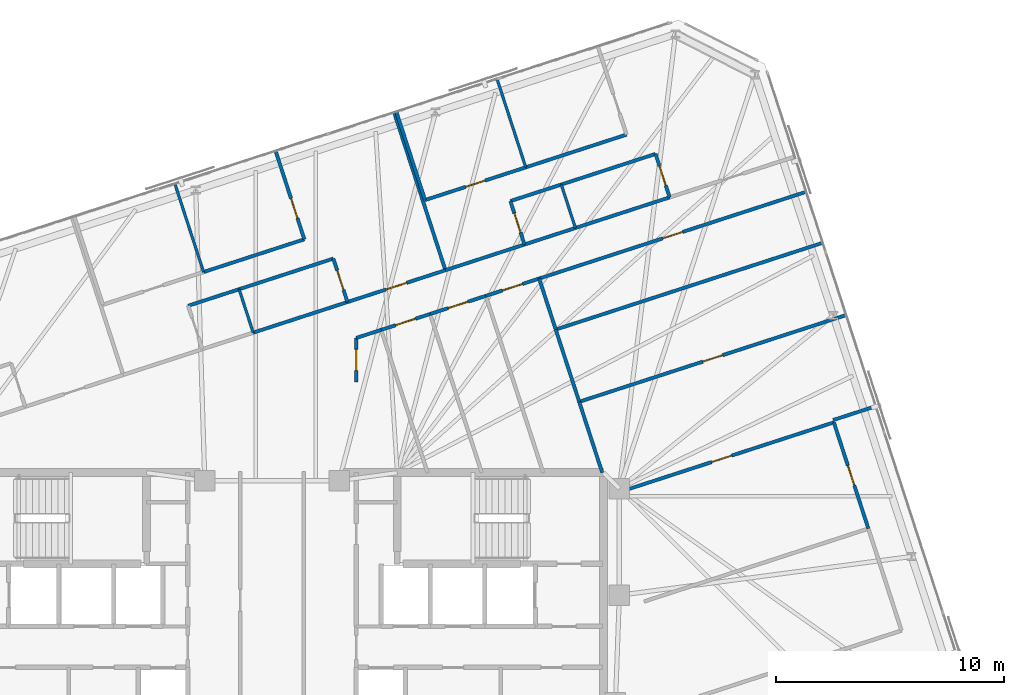
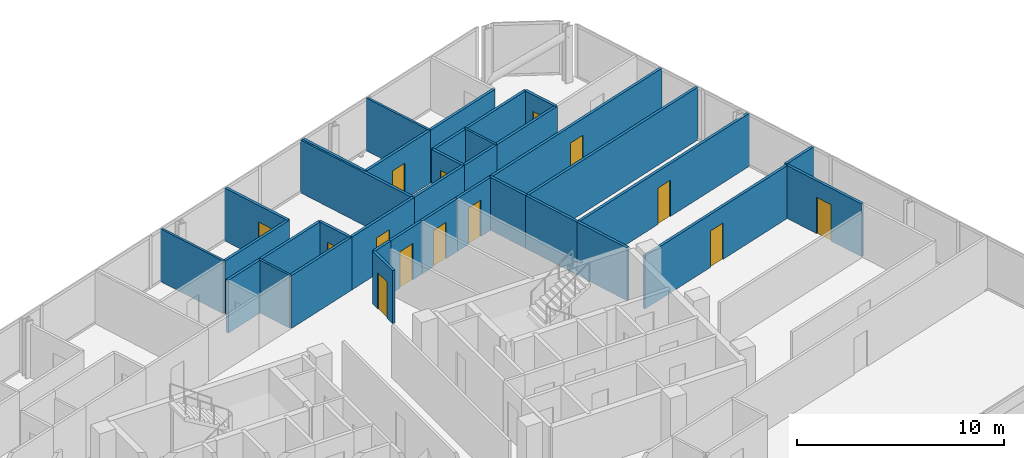
# One storey, part 17 of 20: 36 walls, 14 doors, 14 openings.
"""IFC4 building model written with IfcOpenShell, lengths in metres."""

from ifc_helpers import new_model, si_unit, direction, frame, frame_2d, origin, place, context, subcontext, project, spatial, rectangle, extrude, material, layer, layer_set, type_object, element, fill, save


model = new_model("IFC4")

# Units and contexts
model_context = context("Model", 3, precision=1e-05, world=origin(), true_north=direction((0.0, 1.0)))
body_context = subcontext(model_context, "Body", "Model", "MODEL_VIEW")
ifc_project = project(units=[si_unit("LENGTHUNIT", "METRE"), si_unit("AREAUNIT", "SQUARE_METRE"), si_unit("VOLUMEUNIT", "CUBIC_METRE"), si_unit("PLANEANGLEUNIT", "RADIAN"), si_unit("MASSUNIT", "GRAM", prefix="KILO")], contexts=[model_context])

# Site, building, storey
site_placement = place(None, origin())
site = spatial("IfcSite", under=ifc_project, at=site_placement, CompositionType="ELEMENT")
building_placement = place(site_placement, origin())
building = spatial("IfcBuilding", under=site, at=building_placement, Name="Menara Jurai Vektor", CompositionType="ELEMENT")
storey_placement = place(building_placement, frame((0.0, 0.0, 244.39990234375)))
storey = spatial("IfcBuildingStorey", under=building, at=storey_placement, Name="L65", CompositionType="ELEMENT", Elevation=244.39990234375)

# Wall, opening, door
ifc_material_1 = material(Name="Gypsum Fireboard Partition", Category="gypsum")
ifc_layer_1 = layer(ifc_material_1, 0.14990234375)
ifc_layer_set_1 = layer_set([ifc_layer_1], Name="Gypsum Fireboard Partition")
wall_type_1 = type_object("IfcWallType", Name="INT-WALL-CORR-150", PredefinedType="PARTITIONING", material=ifc_layer_set_1)
wall_1_placement = place(storey_placement, frame((3.31396484375, 13.092041015625, 0.0), z_axis=(0.0, 0.0, 1.0), x_axis=(0.951068976929, 0.308978641858, 0.0)))
wall_1 = element("IfcWall", 1, at=wall_1_placement, inside=storey, type_object=wall_type_1, Name="Interior Wall IW-150 L65", PredefinedType="PARTITIONING", context=body_context, shape_type="SweptSolid", body=[
    extrude(rectangle(XDim=4.52197265625, YDim=0.14990234375, at=frame_2d((2.260986328125, 0.0))), origin(), (0.0, 0.0, 1.0), 3.125),
])
opening_1_placement = place(wall_1_placement, frame((1.785888671875, 0.0, 0.0)))
opening_1 = element("IfcOpeningElement", 2, at=opening_1_placement, cuts=wall_1, Name="Opening D65-19", PredefinedType="OPENING", context=body_context, shape_type="SweptSolid", body=[
    extrude(rectangle(XDim=0.949951171875, YDim=2.14990234375, at=frame_2d((0.47509765625, 1.074951171875))), frame((0.0, 0.0849609375, 0.0), z_axis=(0.0, -1.0, 0.0), x_axis=(1.0, 0.0, 0.0)), (0.0, 0.0, 1.0), 0.169921875),
])
ifc_material_2 = material(Name="Solid Core Timber Fire Door", Category="wood")
door_type_1 = type_object("IfcDoorType", Name="DR-ENTRY-950", OperationType="NOTDEFINED", PredefinedType="DOOR", material=ifc_material_2)
door_1_placement = place(opening_1_placement, origin())
door_1 = element("IfcDoor", 3, at=door_1_placement, inside=storey, type_object=door_type_1, Name="Interior Door D65-19", OperationType="SINGLE_SWING_RIGHT", OverallHeight=2.14990234375, OverallWidth=0.949951171875, PredefinedType="DOOR", context=body_context, shape_type="SweptSolid", body=[
    extrude(rectangle(XDim=0.949951171875, YDim=2.14990234375, at=frame_2d((0.47509765625, 1.074951171875))), frame((0.0, 0.02490234375, 0.0), z_axis=(0.0, -1.0, 0.0), x_axis=(1.0, 0.0, 0.0)), (0.0, 0.0, 1.0), 0.050048828125),
])
fill(opening_1, door_1)

# Walls
wall_2_placement = place(storey_placement, frame((-0.822998046875, 11.747802734375, 0.0), z_axis=(0.0, 0.0, 1.0), x_axis=(0.951052627573, 0.309028962374, 0.0)))
element("IfcWall", 4, at=wall_2_placement, inside=storey, type_object=wall_type_1, Name="Interior Wall IW-150 L65", PredefinedType="PARTITIONING", context=body_context, shape_type="SweptSolid", body=[
    extrude(rectangle(XDim=4.349853515625, YDim=0.14990234375, at=frame_2d((2.1748046875, 0.0))), origin(), (0.0, 0.0, 1.0), 3.125),
])
wall_3_placement = place(storey_placement, frame((7.61474609375, 14.4892578125, 0.0), z_axis=(0.0, 0.0, 1.0), x_axis=(0.951050780541, 0.309034646652, 0.0)))
element("IfcWall", 5, at=wall_3_placement, inside=storey, type_object=wall_type_1, Name="Interior Wall IW-150 L65", PredefinedType="PARTITIONING", context=body_context, shape_type="SweptSolid", body=[
    extrude(rectangle(XDim=3.64990234375, YDim=0.14990234375, at=frame_2d((1.824951171875, 0.0))), origin(), (0.0, 0.0, 1.0), 3.125),
])
wall_4_placement = place(storey_placement, frame((11.0859375, 15.6171875, 0.0), z_axis=(0.0, 0.0, 1.0), x_axis=(0.951045519245, 0.309050837767, 0.0)))
element("IfcWall", 6, at=wall_4_placement, inside=storey, type_object=wall_type_1, Name="Interior Wall IW-150 L65", PredefinedType="PARTITIONING", context=body_context, shape_type="SweptSolid", body=[
    extrude(rectangle(XDim=2.35009765625, YDim=0.14990234375, at=frame_2d((1.175048828125, 0.0))), origin(), (0.0, 0.0, 1.0), 3.125),
])
wall_5_placement = place(storey_placement, frame((13.321044921875, 16.343505859375, 0.0), z_axis=(0.0, 0.0, 1.0), x_axis=(0.951052627573, 0.309028962374, 0.0)))
element("IfcWall", 7, at=wall_5_placement, inside=storey, type_object=wall_type_1, Name="Interior Wall IW-150 L65", PredefinedType="PARTITIONING", context=body_context, shape_type="SweptSolid", body=[
    extrude(rectangle(XDim=4.349853515625, YDim=0.14990234375, at=frame_2d((2.1748046875, 0.0))), origin(), (0.0, 0.0, 1.0), 3.125),
])

# Wall, opening, door
wall_6_placement = place(storey_placement, frame((3.7001953125, 9.58984375, 0.0), z_axis=(0.0, 0.0, 1.0), x_axis=(-0.000380662325, 0.999999927548, 0.0)))
wall_6 = element("IfcWall", 8, at=wall_6_placement, inside=storey, type_object=wall_type_1, Name="Interior Wall IW-150 L65", PredefinedType="PARTITIONING", context=body_context, shape_type="SweptSolid", body=[
    extrude(rectangle(XDim=1.924072265625, YDim=0.14990234375, at=frame_2d((0.9619140625, 0.0))), origin(), (0.0, 0.0, 1.0), 3.125),
])
opening_2_placement = place(wall_6_placement, frame((0.501953125, 0.0, 0.0)))
opening_2 = element("IfcOpeningElement", 9, at=opening_2_placement, cuts=wall_6, Name="Opening D65-49", PredefinedType="OPENING", context=body_context, shape_type="SweptSolid", body=[
    extrude(rectangle(XDim=0.919921875, YDim=2.14990234375, at=frame_2d((0.4599609375, 1.074951171875))), frame((0.0, 0.0849609375, 0.0), z_axis=(0.0, -1.0, 0.0), x_axis=(1.0, 0.0, 0.0)), (0.0, 0.0, 1.0), 0.169921875),
])
door_2_placement = place(opening_2_placement, origin())
door_2 = element("IfcDoor", 10, at=door_2_placement, inside=storey, type_object=door_type_1, Name="Interior Door D65-49", OperationType="SINGLE_SWING_RIGHT", OverallHeight=2.14990234375, OverallWidth=0.919921875, PredefinedType="DOOR", context=body_context, shape_type="SweptSolid", body=[
    extrude(rectangle(XDim=0.919921875, YDim=2.14990234375, at=frame_2d((0.4599609375, 1.074951171875))), frame((0.0, 0.02490234375, 0.0), z_axis=(0.0, -1.0, 0.0), x_axis=(1.0, 0.0, 0.0)), (0.0, 0.0, 1.0), 0.050048828125),
])
fill(opening_2, door_2)

# Wall
wall_7_placement = place(storey_placement, frame((3.699462890625, 11.513916015625, 0.0), z_axis=(0.0, 0.0, 1.0), x_axis=(0.951071437281, 0.308971068529, 0.0)))
element("IfcWall", 11, at=wall_7_placement, inside=storey, type_object=wall_type_1, Name="Interior Wall IW-150 L65", PredefinedType="PARTITIONING", context=body_context, shape_type="SweptSolid", body=[
    extrude(rectangle(XDim=1.152099609375, YDim=0.14990234375, at=frame_2d((0.576171875, 0.0))), origin(), (0.0, 0.0, 1.0), 3.125),
])

# Wall, opening, door
wall_8_placement = place(storey_placement, frame((4.795166015625, 11.869873046875, 0.0), z_axis=(0.0, 0.0, 1.0), x_axis=(0.951065832698, 0.308988319964, 0.0)))
wall_8 = element("IfcWall", 12, at=wall_8_placement, inside=storey, type_object=wall_type_1, Name="Interior Wall IW-150 L65", PredefinedType="PARTITIONING", context=body_context, shape_type="SweptSolid", body=[
    extrude(rectangle(XDim=2.259033203125, YDim=0.14990234375, at=frame_2d((1.12939453125, 0.0))), origin(), (0.0, 0.0, 1.0), 3.125),
])
opening_3_placement = place(wall_8_placement, frame((0.66943359375, 0.0, 0.0)))
opening_3 = element("IfcOpeningElement", 13, at=opening_3_placement, cuts=wall_8, Name="Opening D65-50", PredefinedType="OPENING", context=body_context, shape_type="SweptSolid", body=[
    extrude(rectangle(XDim=0.919921875, YDim=2.14990234375, at=frame_2d((0.4599609375, 1.074951171875))), frame((0.0, 0.0849609375, 0.0), z_axis=(0.0, -1.0, 0.0), x_axis=(1.0, 0.0, 0.0)), (0.0, 0.0, 1.0), 0.169921875),
])
door_3_placement = place(opening_3_placement, origin())
door_3 = element("IfcDoor", 14, at=door_3_placement, inside=storey, type_object=door_type_1, Name="Interior Door D65-50", OperationType="SINGLE_SWING_LEFT", OverallHeight=2.14990234375, OverallWidth=0.919921875, PredefinedType="DOOR", context=body_context, shape_type="SweptSolid", body=[
    extrude(rectangle(XDim=0.919921875, YDim=2.14990234375, at=frame_2d((0.4599609375, 1.074951171875))), frame((0.0, 0.02490234375, 0.0), z_axis=(0.0, -1.0, 0.0), x_axis=(1.0, 0.0, 0.0)), (0.0, 0.0, 1.0), 0.050048828125),
])
fill(opening_3, door_3)

wall_9_placement = place(storey_placement, frame((6.943603515625, 12.56787109375, 0.0), z_axis=(0.0, 0.0, 1.0), x_axis=(0.951042451835, 0.309060276981, 0.0)))
wall_9 = element("IfcWall", 15, at=wall_9_placement, inside=storey, type_object=wall_type_1, Name="Interior Wall IW-150 L65", PredefinedType="PARTITIONING", context=body_context, shape_type="SweptSolid", body=[
    extrude(rectangle(XDim=2.568115234375, YDim=0.14990234375, at=frame_2d((1.2841796875, 0.0))), origin(), (0.0, 0.0, 1.0), 3.125),
])
opening_4_placement = place(wall_9_placement, frame((0.823974609375, 0.0, 0.0)))
opening_4 = element("IfcOpeningElement", 16, at=opening_4_placement, cuts=wall_9, Name="Opening D65-51", PredefinedType="OPENING", context=body_context, shape_type="SweptSolid", body=[
    extrude(rectangle(XDim=0.919921875, YDim=2.14990234375, at=frame_2d((0.4599609375, 1.074951171875))), frame((0.0, 0.0849609375, 0.0), z_axis=(0.0, -1.0, 0.0), x_axis=(1.0, 0.0, 0.0)), (0.0, 0.0, 1.0), 0.169921875),
])
door_4_placement = place(opening_4_placement, origin())
door_4 = element("IfcDoor", 17, at=door_4_placement, inside=storey, type_object=door_type_1, Name="Interior Door D65-51", OperationType="SINGLE_SWING_RIGHT", OverallHeight=2.14990234375, OverallWidth=0.919921875, PredefinedType="DOOR", context=body_context, shape_type="SweptSolid", body=[
    extrude(rectangle(XDim=0.919921875, YDim=2.14990234375, at=frame_2d((0.4599609375, 1.074951171875))), frame((0.0, 0.02490234375, 0.0), z_axis=(0.0, -1.0, 0.0), x_axis=(1.0, 0.0, 0.0)), (0.0, 0.0, 1.0), 0.050048828125),
])
fill(opening_4, door_4)

wall_10_placement = place(storey_placement, frame((9.385986328125, 13.361572265625, 0.0), z_axis=(0.0, 0.0, 1.0), x_axis=(0.951052991774, 0.309027841526, 0.0)))
wall_10 = element("IfcWall", 18, at=wall_10_placement, inside=storey, type_object=wall_type_1, Name="Interior Wall IW-150 L65", PredefinedType="PARTITIONING", context=body_context, shape_type="SweptSolid", body=[
    extrude(rectangle(XDim=2.46484375, YDim=0.14990234375, at=frame_2d((1.232421875, 0.0))), origin(), (0.0, 0.0, 1.0), 3.125),
])
opening_5_placement = place(wall_10_placement, frame((0.7724609375, 0.0, 0.0)))
opening_5 = element("IfcOpeningElement", 19, at=opening_5_placement, cuts=wall_10, Name="Opening D65-52", PredefinedType="OPENING", context=body_context, shape_type="SweptSolid", body=[
    extrude(rectangle(XDim=0.919921875, YDim=2.14990234375, at=frame_2d((0.4599609375, 1.074951171875))), frame((0.0, 0.0849609375, 0.0), z_axis=(0.0, -1.0, 0.0), x_axis=(1.0, 0.0, 0.0)), (0.0, 0.0, 1.0), 0.169921875),
])
door_5_placement = place(opening_5_placement, origin())
door_5 = element("IfcDoor", 20, at=door_5_placement, inside=storey, type_object=door_type_1, Name="Interior Door D65-52", OperationType="SINGLE_SWING_LEFT", OverallHeight=2.14990234375, OverallWidth=0.919921875, PredefinedType="DOOR", context=body_context, shape_type="SweptSolid", body=[
    extrude(rectangle(XDim=0.919921875, YDim=2.14990234375, at=frame_2d((0.4599609375, 1.074951171875))), frame((0.0, 0.02490234375, 0.0), z_axis=(0.0, -1.0, 0.0), x_axis=(1.0, 0.0, 0.0)), (0.0, 0.0, 1.0), 0.050048828125),
])
fill(opening_5, door_5)

wall_11_placement = place(storey_placement, frame((26.18212890625, 3.144775390625, 0.0), z_axis=(0.0, 0.0, 1.0), x_axis=(-0.309019653166, 0.951055652397, 0.0)))
wall_11 = element("IfcWall", 21, at=wall_11_placement, inside=storey, type_object=wall_type_1, Name="Interior Wall IW-150 L65", PredefinedType="PARTITIONING", context=body_context, shape_type="SweptSolid", body=[
    extrude(rectangle(XDim=4.90380859375, YDim=0.14990234375, at=frame_2d((2.451904296875, 0.0))), origin(), (0.0, 0.0, 1.0), 3.125),
])
opening_6_placement = place(wall_11_placement, frame((1.991943359375, 0.0, 0.0)))
opening_6 = element("IfcOpeningElement", 22, at=opening_6_placement, cuts=wall_11, Name="Opening D65-54", PredefinedType="OPENING", context=body_context, shape_type="SweptSolid", body=[
    extrude(rectangle(XDim=0.919921875, YDim=2.14990234375, at=frame_2d((0.4599609375, 1.074951171875))), frame((0.0, 0.0849609375, 0.0), z_axis=(0.0, -1.0, 0.0), x_axis=(1.0, 0.0, 0.0)), (0.0, 0.0, 1.0), 0.169921875),
])
door_6_placement = place(opening_6_placement, origin())
door_6 = element("IfcDoor", 23, at=door_6_placement, inside=storey, type_object=door_type_1, Name="Interior Door D65-54", OperationType="SINGLE_SWING_LEFT", OverallHeight=2.14990234375, OverallWidth=0.919921875, PredefinedType="DOOR", context=body_context, shape_type="SweptSolid", body=[
    extrude(rectangle(XDim=0.919921875, YDim=2.14990234375, at=frame_2d((0.4599609375, 1.074951171875))), frame((0.0, 0.02490234375, 0.0), z_axis=(0.0, -1.0, 0.0), x_axis=(1.0, 0.0, 0.0)), (0.0, 0.0, 1.0), 0.050048828125),
])
fill(opening_6, door_6)

# Wall
wall_12_placement = place(storey_placement, frame((24.633544921875, 7.910400390625, 0.0), z_axis=(0.0, 0.0, 1.0), x_axis=(0.951054051148, 0.309024581215, 0.0)))
element("IfcWall", 24, at=wall_12_placement, inside=storey, type_object=wall_type_1, Name="Interior Wall IW-150 L65", PredefinedType="PARTITIONING", context=body_context, shape_type="SweptSolid", body=[
    extrude(rectangle(XDim=1.97509765625, YDim=0.14990234375, at=frame_2d((0.987548828125, 0.0))), origin(), (0.0, 0.0, 1.0), 3.125),
])

# Wall, opening, door
wall_13_placement = place(storey_placement, frame((11.730224609375, 14.123291015625, 0.0), z_axis=(0.0, 0.0, 1.0), x_axis=(0.951060263663, 0.309005460926, 0.0)))
wall_13 = element("IfcWall", 25, at=wall_13_placement, inside=storey, type_object=wall_type_1, Name="Interior Wall IW-150 L65", PredefinedType="PARTITIONING", context=body_context, shape_type="SweptSolid", body=[
    extrude(rectangle(XDim=12.326904296875, YDim=0.14990234375, at=frame_2d((6.16357421875, 0.0))), origin(), (0.0, 0.0, 1.0), 3.125),
])
opening_7_placement = place(wall_13_placement, frame((5.70361328125, 0.0, 0.0)))
opening_7 = element("IfcOpeningElement", 26, at=opening_7_placement, cuts=wall_13, Name="Opening D65-57", PredefinedType="OPENING", context=body_context, shape_type="SweptSolid", body=[
    extrude(rectangle(XDim=0.919921875, YDim=2.14990234375, at=frame_2d((0.4599609375, 1.074951171875))), frame((0.0, 0.0849609375, 0.0), z_axis=(0.0, -1.0, 0.0), x_axis=(1.0, 0.0, 0.0)), (0.0, 0.0, 1.0), 0.169921875),
])
door_7_placement = place(opening_7_placement, origin())
door_7 = element("IfcDoor", 27, at=door_7_placement, inside=storey, type_object=door_type_1, Name="Interior Door D65-57", OperationType="SINGLE_SWING_RIGHT", OverallHeight=2.14990234375, OverallWidth=0.919921875, PredefinedType="DOOR", context=body_context, shape_type="SweptSolid", body=[
    extrude(rectangle(XDim=0.919921875, YDim=2.14990234375, at=frame_2d((0.4599609375, 1.074951171875))), frame((0.0, 0.02490234375, 0.0), z_axis=(0.0, -1.0, 0.0), x_axis=(1.0, 0.0, 0.0)), (0.0, 0.0, 1.0), 0.050048828125),
])
fill(opening_7, door_7)

# Walls
wall_14_placement = place(storey_placement, frame((-3.677734375, 12.928466796875, 0.0), z_axis=(0.0, 0.0, 1.0), x_axis=(0.951076048914, 0.308956872689, 0.0)))
element("IfcWall", 28, at=wall_14_placement, inside=storey, type_object=wall_type_1, Name="Interior Wall IW-150 L65", PredefinedType="PARTITIONING", context=body_context, shape_type="SweptSolid", body=[
    extrude(rectangle(XDim=2.35009765625, YDim=0.14990234375, at=frame_2d((1.175048828125, 0.0))), origin(), (0.0, 0.0, 1.0), 3.125),
])
wall_15_placement = place(storey_placement, frame((-1.442626953125, 13.654541015625, 0.0), z_axis=(0.0, 0.0, 1.0), x_axis=(0.951052627573, 0.309028962374, 0.0)))
element("IfcWall", 29, at=wall_15_placement, inside=storey, type_object=wall_type_1, Name="Interior Wall IW-150 L65", PredefinedType="PARTITIONING", context=body_context, shape_type="SweptSolid", body=[
    extrude(rectangle(XDim=4.349853515625, YDim=0.14990234375, at=frame_2d((2.1748046875, 0.0))), origin(), (0.0, 0.0, 1.0), 3.125),
])

# Wall, opening, door
wall_16_placement = place(storey_placement, frame((3.31396484375, 13.092041015625, 0.0), z_axis=(0.0, 0.0, 1.0), x_axis=(-0.309058537449, 0.951043017129, 0.0)))
wall_16 = element("IfcWall", 30, at=wall_16_placement, inside=storey, type_object=wall_type_1, Name="Interior Wall IW-150 L65", PredefinedType="PARTITIONING", context=body_context, shape_type="SweptSolid", body=[
    extrude(rectangle(XDim=2.0048828125, YDim=0.14990234375, at=frame_2d((1.00244140625, 0.0))), origin(), (0.0, 0.0, 1.0), 3.125),
])
opening_8_placement = place(wall_16_placement, frame((0.552490234375, 0.0, 0.0)))
opening_8 = element("IfcOpeningElement", 31, at=opening_8_placement, cuts=wall_16, Name="Opening D65-21", PredefinedType="OPENING", context=body_context, shape_type="SweptSolid", body=[
    extrude(rectangle(XDim=0.89990234375, YDim=2.14990234375, at=frame_2d((0.449951171875, 1.074951171875))), frame((0.0, 0.0849609375, 0.0), z_axis=(0.0, -1.0, 0.0), x_axis=(1.0, 0.0, 0.0)), (0.0, 0.0, 1.0), 0.169921875),
])
ifc_material_3 = material(Name="Acoustic Timber Interior Door", Category="wood")
door_type_2 = type_object("IfcDoorType", Name="DR-ROOM-900", OperationType="NOTDEFINED", PredefinedType="DOOR", material=ifc_material_3)
door_8_placement = place(opening_8_placement, origin())
door_8 = element("IfcDoor", 32, at=door_8_placement, inside=storey, type_object=door_type_2, Name="Interior Door D65-21", OperationType="SINGLE_SWING_RIGHT", OverallHeight=2.14990234375, OverallWidth=0.89990234375, PredefinedType="DOOR", context=body_context, shape_type="SweptSolid", body=[
    extrude(rectangle(XDim=0.89990234375, YDim=2.14990234375, at=frame_2d((0.449951171875, 1.074951171875))), frame((0.0, 0.02490234375, 0.0), z_axis=(0.0, -1.0, 0.0), x_axis=(1.0, 0.0, 0.0)), (0.0, 0.0, 1.0), 0.050048828125),
])
fill(opening_8, door_8)

# Wall
wall_17_placement = place(storey_placement, frame((-3.002197265625, 14.40966796875, 0.0), z_axis=(0.0, 0.0, 1.0), x_axis=(0.951065702951, 0.308988719326, 0.0)))
element("IfcWall", 33, at=wall_17_placement, inside=storey, type_object=wall_type_1, Name="Interior Wall IW-150 L65", PredefinedType="PARTITIONING", context=body_context, shape_type="SweptSolid", body=[
    extrude(rectangle(XDim=4.64990234375, YDim=0.14990234375, at=frame_2d((2.324951171875, 0.0))), origin(), (0.0, 0.0, 1.0), 3.125),
])

# Wall, opening, door
wall_18_placement = place(storey_placement, frame((1.420166015625, 15.846435546875, 0.0), z_axis=(0.0, 0.0, 1.0), x_axis=(-0.309018403393, 0.951056058476, 0.0)))
wall_18 = element("IfcWall", 34, at=wall_18_placement, inside=storey, type_object=wall_type_1, Name="Interior Wall IW-150 L65", PredefinedType="PARTITIONING", context=body_context, shape_type="SweptSolid", body=[
    extrude(rectangle(XDim=4.0791015625, YDim=0.14990234375, at=frame_2d((2.03955078125, 0.0))), origin(), (0.0, 0.0, 1.0), 3.125),
])
opening_9_placement = place(wall_18_placement, frame((0.977783203125, 0.0, 0.0)))
opening_9 = element("IfcOpeningElement", 35, at=opening_9_placement, cuts=wall_18, Name="Opening D65-23", PredefinedType="OPENING", context=body_context, shape_type="SweptSolid", body=[
    extrude(rectangle(XDim=0.89990234375, YDim=2.14990234375, at=frame_2d((0.449951171875, 1.074951171875))), frame((0.0, 0.0849609375, 0.0), z_axis=(0.0, -1.0, 0.0), x_axis=(1.0, 0.0, 0.0)), (0.0, 0.0, 1.0), 0.169921875),
])
door_9_placement = place(opening_9_placement, origin())
door_9 = element("IfcDoor", 36, at=door_9_placement, inside=storey, type_object=door_type_2, Name="Interior Door D65-23", OperationType="SINGLE_SWING_RIGHT", OverallHeight=2.14990234375, OverallWidth=0.89990234375, PredefinedType="DOOR", context=body_context, shape_type="SweptSolid", body=[
    extrude(rectangle(XDim=0.89990234375, YDim=2.14990234375, at=frame_2d((0.449951171875, 1.074951171875))), frame((0.0, 0.02490234375, 0.0), z_axis=(0.0, -1.0, 0.0), x_axis=(1.0, 0.0, 0.0)), (0.0, 0.0, 1.0), 0.050048828125),
])
fill(opening_9, door_9)

# Wall
wall_19_placement = place(storey_placement, frame((7.61474609375, 14.4892578125, 0.0), z_axis=(0.0, 0.0, 1.0), x_axis=(-0.309029230739, 0.951052540372, 0.0)))
element("IfcWall", 37, at=wall_19_placement, inside=storey, type_object=wall_type_1, Name="Interior Wall IW-150 L65", PredefinedType="PARTITIONING", context=body_context, shape_type="SweptSolid", body=[
    extrude(rectangle(XDim=7.283935546875, YDim=0.14990234375, at=frame_2d((3.64208984375, 0.0))), origin(), (0.0, 0.0, 1.0), 3.125),
])

# Wall, opening, door
wall_20_placement = place(storey_placement, frame((11.0859375, 15.6171875, 0.0), z_axis=(0.0, 0.0, 1.0), x_axis=(-0.309022749039, 0.951054646472, 0.0)))
wall_20 = element("IfcWall", 38, at=wall_20_placement, inside=storey, type_object=wall_type_1, Name="Interior Wall IW-150 L65", PredefinedType="PARTITIONING", context=body_context, shape_type="SweptSolid", body=[
    extrude(rectangle(XDim=2.005126953125, YDim=0.14990234375, at=frame_2d((1.00244140625, 0.0))), origin(), (0.0, 0.0, 1.0), 3.125),
])
opening_10_placement = place(wall_20_placement, frame((0.5625, 0.0, 0.0)))
opening_10 = element("IfcOpeningElement", 39, at=opening_10_placement, cuts=wall_20, Name="Opening D65-25", PredefinedType="OPENING", context=body_context, shape_type="SweptSolid", body=[
    extrude(rectangle(XDim=0.8798828125, YDim=2.14990234375, at=frame_2d((0.43994140625, 1.074951171875))), frame((0.0, 0.0849609375, 0.0), z_axis=(0.0, -1.0, 0.0), x_axis=(1.0, 0.0, 0.0)), (0.0, 0.0, 1.0), 0.169921875),
])
ifc_material_4 = material(Name="Moisture-Resistant Timber Door", Category="wood")
door_type_3 = type_object("IfcDoorType", Name="DR-BATH-880", OperationType="NOTDEFINED", PredefinedType="DOOR", material=ifc_material_4)
door_10_placement = place(opening_10_placement, origin())
door_10 = element("IfcDoor", 40, at=door_10_placement, inside=storey, type_object=door_type_3, Name="Interior Door D65-25", OperationType="SINGLE_SWING_RIGHT", OverallHeight=2.14990234375, OverallWidth=0.8798828125, PredefinedType="DOOR", context=body_context, shape_type="SweptSolid", body=[
    extrude(rectangle(XDim=0.8798828125, YDim=2.14990234375, at=frame_2d((0.43994140625, 1.074951171875))), frame((0.0, 0.02490234375, 0.0), z_axis=(0.0, -1.0, 0.0), x_axis=(1.0, 0.0, 0.0)), (0.0, 0.0, 1.0), 0.050048828125),
])
fill(opening_10, door_10)

# Walls
wall_21_placement = place(storey_placement, frame((10.46630859375, 17.524169921875, 0.0), z_axis=(0.0, 0.0, 1.0), x_axis=(0.951076048914, 0.308956872689, 0.0)))
element("IfcWall", 41, at=wall_21_placement, inside=storey, type_object=wall_type_1, Name="Interior Wall IW-150 L65", PredefinedType="PARTITIONING", context=body_context, shape_type="SweptSolid", body=[
    extrude(rectangle(XDim=2.35009765625, YDim=0.14990234375, at=frame_2d((1.175048828125, 0.0))), origin(), (0.0, 0.0, 1.0), 3.125),
])
wall_22_placement = place(storey_placement, frame((12.701416015625, 18.250244140625, 0.0), z_axis=(0.0, 0.0, 1.0), x_axis=(0.951052627573, 0.309028962374, 0.0)))
element("IfcWall", 42, at=wall_22_placement, inside=storey, type_object=wall_type_1, Name="Interior Wall IW-150 L65", PredefinedType="PARTITIONING", context=body_context, shape_type="SweptSolid", body=[
    extrude(rectangle(XDim=4.349853515625, YDim=0.14990234375, at=frame_2d((2.1748046875, 0.0))), origin(), (0.0, 0.0, 1.0), 3.125),
])

# Wall, opening, door
wall_23_placement = place(storey_placement, frame((17.4580078125, 17.687744140625, 0.0), z_axis=(0.0, 0.0, 1.0), x_axis=(-0.309058537449, 0.951043017129, 0.0)))
wall_23 = element("IfcWall", 43, at=wall_23_placement, inside=storey, type_object=wall_type_1, Name="Interior Wall IW-150 L65", PredefinedType="PARTITIONING", context=body_context, shape_type="SweptSolid", body=[
    extrude(rectangle(XDim=2.0048828125, YDim=0.14990234375, at=frame_2d((1.00244140625, 0.0))), origin(), (0.0, 0.0, 1.0), 3.125),
])
opening_11_placement = place(wall_23_placement, frame((0.552490234375, 0.0, 0.0)))
opening_11 = element("IfcOpeningElement", 44, at=opening_11_placement, cuts=wall_23, Name="Opening D65-26", PredefinedType="OPENING", context=body_context, shape_type="SweptSolid", body=[
    extrude(rectangle(XDim=0.89990234375, YDim=2.14990234375, at=frame_2d((0.449951171875, 1.074951171875))), frame((0.0, 0.0849609375, 0.0), z_axis=(0.0, -1.0, 0.0), x_axis=(1.0, 0.0, 0.0)), (0.0, 0.0, 1.0), 0.169921875),
])
door_11_placement = place(opening_11_placement, origin())
door_11 = element("IfcDoor", 45, at=door_11_placement, inside=storey, type_object=door_type_2, Name="Interior Door D65-26", OperationType="SINGLE_SWING_LEFT", OverallHeight=2.14990234375, OverallWidth=0.89990234375, PredefinedType="DOOR", context=body_context, shape_type="SweptSolid", body=[
    extrude(rectangle(XDim=0.89990234375, YDim=2.14990234375, at=frame_2d((0.449951171875, 1.074951171875))), frame((0.0, 0.02490234375, 0.0), z_axis=(0.0, -1.0, 0.0), x_axis=(1.0, 0.0, 0.0)), (0.0, 0.0, 1.0), 0.050048828125),
])
fill(opening_11, door_11)

# Wall
wall_24_placement = place(storey_placement, frame((6.719482421875, 17.568359375, 0.0), z_axis=(0.0, 0.0, 1.0), x_axis=(-0.309018403393, 0.951056058476, 0.0)))
element("IfcWall", 46, at=wall_24_placement, inside=storey, type_object=wall_type_1, Name="Interior Wall IW-150 L65", PredefinedType="PARTITIONING", context=body_context, shape_type="SweptSolid", body=[
    extrude(rectangle(XDim=4.0791015625, YDim=0.14990234375, at=frame_2d((2.03955078125, 0.0))), origin(), (0.0, 0.0, 1.0), 3.125),
])

# Wall, opening, door
wall_25_placement = place(storey_placement, frame((6.719482421875, 17.568359375, 0.0), z_axis=(0.0, 0.0, 1.0), x_axis=(0.951050272606, 0.309036209813, 0.0)))
wall_25 = element("IfcWall", 47, at=wall_25_placement, inside=storey, type_object=wall_type_1, Name="Interior Wall IW-150 L65", PredefinedType="PARTITIONING", context=body_context, shape_type="SweptSolid", body=[
    extrude(rectangle(XDim=4.64990234375, YDim=0.14990234375, at=frame_2d((2.324951171875, 0.0))), origin(), (0.0, 0.0, 1.0), 3.125),
])
opening_12_placement = place(wall_25_placement, frame((1.875, 0.0, 0.0)))
opening_12 = element("IfcOpeningElement", 48, at=opening_12_placement, cuts=wall_25, Name="Opening D65-27", PredefinedType="OPENING", context=body_context, shape_type="SweptSolid", body=[
    extrude(rectangle(XDim=0.89990234375, YDim=2.14990234375, at=frame_2d((0.449951171875, 1.074951171875))), frame((0.0, 0.0849609375, 0.0), z_axis=(0.0, -1.0, 0.0), x_axis=(1.0, 0.0, 0.0)), (0.0, 0.0, 1.0), 0.169921875),
])
door_12_placement = place(opening_12_placement, origin())
door_12 = element("IfcDoor", 49, at=door_12_placement, inside=storey, type_object=door_type_2, Name="Interior Door D65-27", OperationType="SINGLE_SWING_RIGHT", OverallHeight=2.14990234375, OverallWidth=0.89990234375, PredefinedType="DOOR", context=body_context, shape_type="SweptSolid", body=[
    extrude(rectangle(XDim=0.89990234375, YDim=2.14990234375, at=frame_2d((0.449951171875, 1.074951171875))), frame((0.0, 0.02490234375, 0.0), z_axis=(0.0, -1.0, 0.0), x_axis=(1.0, 0.0, 0.0)), (0.0, 0.0, 1.0), 0.050048828125),
])
fill(opening_12, door_12)

# Walls
wall_26_placement = place(storey_placement, frame((11.141845703125, 19.00537109375, 0.0), z_axis=(0.0, 0.0, 1.0), x_axis=(0.951065702951, 0.308988719326, 0.0)))
element("IfcWall", 50, at=wall_26_placement, inside=storey, type_object=wall_type_1, Name="Interior Wall IW-150 L65", PredefinedType="PARTITIONING", context=body_context, shape_type="SweptSolid", body=[
    extrude(rectangle(XDim=4.64990234375, YDim=0.14990234375, at=frame_2d((2.324951171875, 0.0))), origin(), (0.0, 0.0, 1.0), 3.125),
])
wall_27_placement = place(storey_placement, frame((14.49951171875, 5.599853515625, 0.0), z_axis=(0.0, 0.0, 1.0), x_axis=(-0.309015253813, 0.951057081836, 0.0)))
element("IfcWall", 51, at=wall_27_placement, inside=storey, type_object=wall_type_1, Name="Interior Wall IW-150 L65", PredefinedType="PARTITIONING", context=body_context, shape_type="SweptSolid", body=[
    extrude(rectangle(XDim=3.27392578125, YDim=0.14990234375, at=frame_2d((1.636962890625, 0.0))), origin(), (0.0, 0.0, 1.0), 3.125),
])
wall_28_placement = place(storey_placement, frame((13.48779296875, 8.713623046875, 0.0), z_axis=(0.0, 0.0, 1.0), x_axis=(-0.308946982245, 0.951079261766, 0.0)))
element("IfcWall", 52, at=wall_28_placement, inside=storey, type_object=wall_type_1, Name="Interior Wall IW-150 L65", PredefinedType="PARTITIONING", context=body_context, shape_type="SweptSolid", body=[
    extrude(rectangle(XDim=3.333984375, YDim=0.14990234375, at=frame_2d((1.6669921875, 0.0))), origin(), (0.0, 0.0, 1.0), 3.125),
])
wall_29_placement = place(storey_placement, frame((12.457763671875, 11.884521484375, 0.0), z_axis=(0.0, 0.0, 1.0), x_axis=(-0.309062621189, 0.951041690035, 0.0)))
element("IfcWall", 53, at=wall_29_placement, inside=storey, type_object=wall_type_1, Name="Interior Wall IW-150 L65", PredefinedType="PARTITIONING", context=body_context, shape_type="SweptSolid", body=[
    extrude(rectangle(XDim=2.35400390625, YDim=0.14990234375, at=frame_2d((1.177001953125, 0.0))), origin(), (0.0, 0.0, 1.0), 3.125),
])

# Wall, opening, door
wall_30_placement = place(storey_placement, frame((14.8212890625, 4.60986328125, 0.0), z_axis=(0.0, 0.0, 1.0), x_axis=(0.951063700751, 0.30899488202, 0.0)))
wall_30 = element("IfcWall", 54, at=wall_30_placement, inside=storey, type_object=wall_type_1, Name="Interior Wall IW-150 L65", PredefinedType="PARTITIONING", context=body_context, shape_type="SweptSolid", body=[
    extrude(rectangle(XDim=10.35205078125, YDim=0.14990234375, at=frame_2d((5.176025390625, 0.0))), origin(), (0.0, 0.0, 1.0), 3.125),
])
opening_13_placement = place(wall_30_placement, frame((4.716064453125, 0.0, 0.0)))
opening_13 = element("IfcOpeningElement", 55, at=opening_13_placement, cuts=wall_30, Name="Opening D65-55", PredefinedType="OPENING", context=body_context, shape_type="SweptSolid", body=[
    extrude(rectangle(XDim=0.919921875, YDim=2.14990234375, at=frame_2d((0.4599609375, 1.074951171875))), frame((0.0, 0.0849609375, 0.0), z_axis=(0.0, -1.0, 0.0), x_axis=(1.0, 0.0, 0.0)), (0.0, 0.0, 1.0), 0.169921875),
])
door_13_placement = place(opening_13_placement, origin())
door_13 = element("IfcDoor", 56, at=door_13_placement, inside=storey, type_object=door_type_1, Name="Interior Door D65-55", OperationType="SINGLE_SWING_RIGHT", OverallHeight=2.14990234375, OverallWidth=0.919921875, PredefinedType="DOOR", context=body_context, shape_type="SweptSolid", body=[
    extrude(rectangle(XDim=0.919921875, YDim=2.14990234375, at=frame_2d((0.4599609375, 1.074951171875))), frame((0.0, 0.02490234375, 0.0), z_axis=(0.0, -1.0, 0.0), x_axis=(1.0, 0.0, 0.0)), (0.0, 0.0, 1.0), 0.050048828125),
])
fill(opening_13, door_13)

wall_31_placement = place(storey_placement, frame((13.48779296875, 8.713623046875, 0.0), z_axis=(0.0, 0.0, 1.0), x_axis=(0.951062154725, 0.308999640533, 0.0)))
wall_31 = element("IfcWall", 57, at=wall_31_placement, inside=storey, type_object=wall_type_1, Name="Interior Wall IW-150 L65", PredefinedType="PARTITIONING", context=body_context, shape_type="SweptSolid", body=[
    extrude(rectangle(XDim=12.3271484375, YDim=0.14990234375, at=frame_2d((6.16357421875, 0.0))), origin(), (0.0, 0.0, 1.0), 3.125),
])
opening_14_placement = place(wall_31_placement, frame((5.70361328125, 0.0, 0.0)))
opening_14 = element("IfcOpeningElement", 58, at=opening_14_placement, cuts=wall_31, Name="Opening D65-56", PredefinedType="OPENING", context=body_context, shape_type="SweptSolid", body=[
    extrude(rectangle(XDim=0.919921875, YDim=2.14990234375, at=frame_2d((0.4599609375, 1.074951171875))), frame((0.0, 0.0849609375, 0.0), z_axis=(0.0, -1.0, 0.0), x_axis=(1.0, 0.0, 0.0)), (0.0, 0.0, 1.0), 0.169921875),
])
door_14_placement = place(opening_14_placement, origin())
door_14 = element("IfcDoor", 59, at=door_14_placement, inside=storey, type_object=door_type_1, Name="Interior Door D65-56", OperationType="SINGLE_SWING_LEFT", OverallHeight=2.14990234375, OverallWidth=0.919921875, PredefinedType="DOOR", context=body_context, shape_type="SweptSolid", body=[
    extrude(rectangle(XDim=0.919921875, YDim=2.14990234375, at=frame_2d((0.4599609375, 1.074951171875))), frame((0.0, 0.02490234375, 0.0), z_axis=(0.0, -1.0, 0.0), x_axis=(1.0, 0.0, 0.0)), (0.0, 0.0, 1.0), 0.050048828125),
])
fill(opening_14, door_14)

# Walls
wall_32_placement = place(storey_placement, frame((12.457763671875, 11.884521484375, 0.0), z_axis=(0.0, 0.0, 1.0), x_axis=(0.951060263663, 0.309005460926, 0.0)))
element("IfcWall", 60, at=wall_32_placement, inside=storey, type_object=wall_type_1, Name="Interior Wall IW-150 L65", PredefinedType="PARTITIONING", context=body_context, shape_type="SweptSolid", body=[
    extrude(rectangle(XDim=12.326904296875, YDim=0.14990234375, at=frame_2d((6.16357421875, 0.0))), origin(), (0.0, 0.0, 1.0), 3.125),
])
ifc_material_5 = material(Name="Gypsum Acoustic Stud Partition", Category="gypsum")
ifc_layer_2 = layer(ifc_material_5, 0.1201171875)
ifc_layer_set_2 = layer_set([ifc_layer_2], Name="Gypsum Acoustic Stud Partition")
wall_type_2 = type_object("IfcWallType", Name="INT-WALL-PART-120", PredefinedType="PARTITIONING", material=ifc_layer_set_2)
wall_33_placement = place(storey_placement, frame((-0.822998046875, 11.747802734375, 0.0), z_axis=(0.0, 0.0, 1.0), x_axis=(-0.309058537449, 0.951043017129, 0.0)))
element("IfcWall", 61, at=wall_33_placement, inside=storey, type_object=wall_type_2, Name="Interior Wall IW-120 L65", PredefinedType="PARTITIONING", context=body_context, shape_type="SweptSolid", body=[
    extrude(rectangle(XDim=2.0048828125, YDim=0.1201171875, at=frame_2d((1.00244140625, 0.0))), origin(), (0.0, 0.0, 1.0), 3.125),
])
wall_34_placement = place(storey_placement, frame((-3.002197265625, 14.40966796875, 0.0), z_axis=(0.0, 0.0, 1.0), x_axis=(-0.309018403393, 0.951056058476, 0.0)))
element("IfcWall", 62, at=wall_34_placement, inside=storey, type_object=wall_type_2, Name="Interior Wall IW-120 L65", PredefinedType="PARTITIONING", context=body_context, shape_type="SweptSolid", body=[
    extrude(rectangle(XDim=4.0791015625, YDim=0.1201171875, at=frame_2d((2.03955078125, 0.0))), origin(), (0.0, 0.0, 1.0), 3.125),
])
wall_35_placement = place(storey_placement, frame((13.321044921875, 16.343505859375, 0.0), z_axis=(0.0, 0.0, 1.0), x_axis=(-0.309058537449, 0.951043017129, 0.0)))
element("IfcWall", 63, at=wall_35_placement, inside=storey, type_object=wall_type_2, Name="Interior Wall IW-120 L65", PredefinedType="PARTITIONING", context=body_context, shape_type="SweptSolid", body=[
    extrude(rectangle(XDim=2.0048828125, YDim=0.1201171875, at=frame_2d((1.00244140625, 0.0))), origin(), (0.0, 0.0, 1.0), 3.125),
])
wall_36_placement = place(storey_placement, frame((11.141845703125, 19.00537109375, 0.0), z_axis=(0.0, 0.0, 1.0), x_axis=(-0.309018403393, 0.951056058476, 0.0)))
element("IfcWall", 64, at=wall_36_placement, inside=storey, type_object=wall_type_2, Name="Interior Wall IW-120 L65", PredefinedType="PARTITIONING", context=body_context, shape_type="SweptSolid", body=[
    extrude(rectangle(XDim=4.0791015625, YDim=0.1201171875, at=frame_2d((2.03955078125, 0.0))), origin(), (0.0, 0.0, 1.0), 3.125),
])

save(model, "model.ifc")
